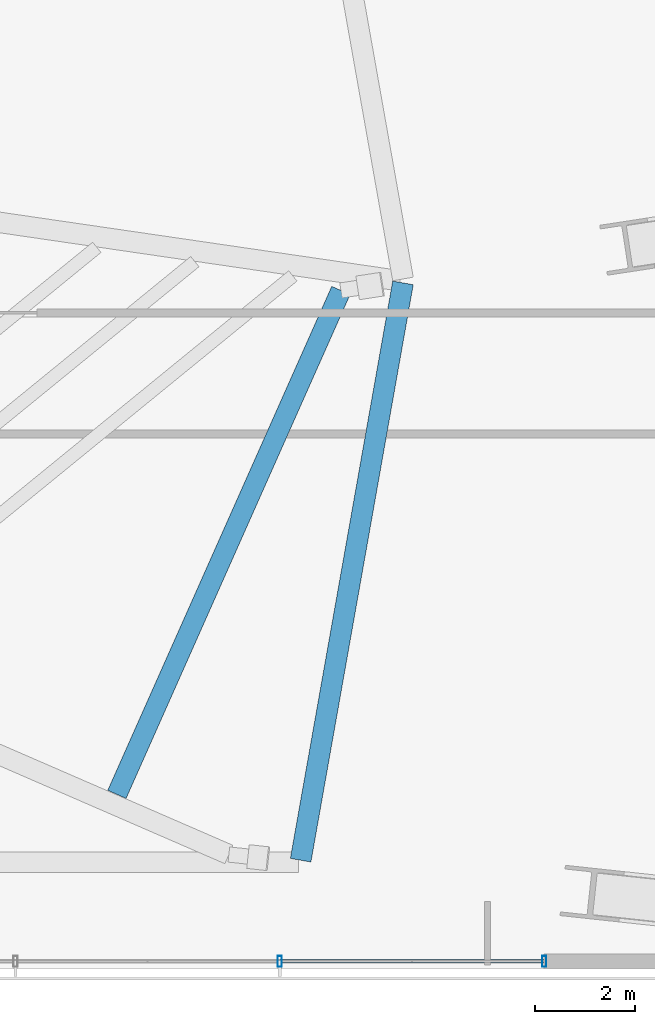
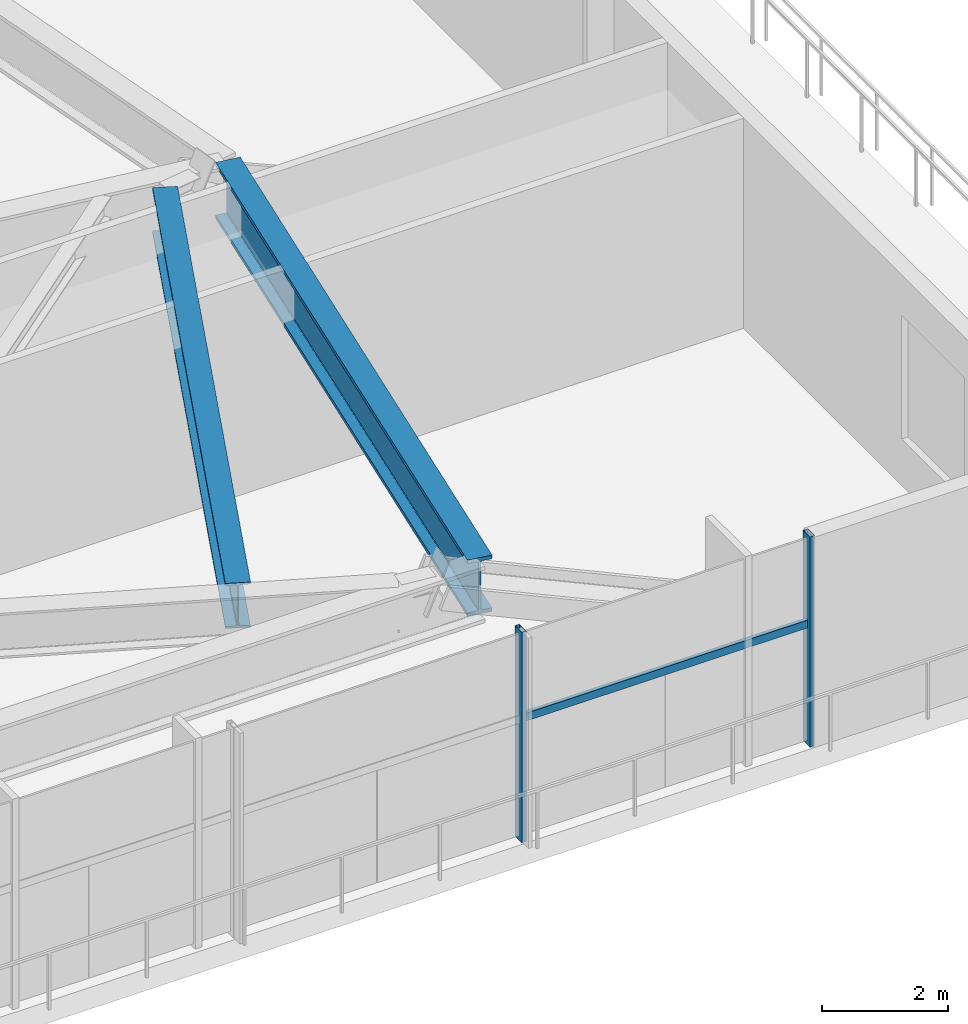
# One storey, part 15 of 29: 3 members, 2 beams, 1 element without a shape of its own.
"""IFC4 building model written with IfcOpenShell, lengths in metres."""

from ifc_helpers import new_model, si_unit, direction, frame, origin, origin_2d, place, context, subcontext, project, spatial, hollow_rectangle, i_section, extrude, source, transform, mapped, material, material_profile, profile_set, type_object, type_shapes, element, aggregate, save


model = new_model("IFC4")

# Units and contexts
model_context = context("Model", 3, precision=1e-05, world=origin(), true_north=direction((0.0, 1.0)))
body_context = subcontext(model_context, "Body", "Model", "MODEL_VIEW")
ifc_project = project(units=[si_unit("LENGTHUNIT", "METRE"), si_unit("AREAUNIT", "SQUARE_METRE"), si_unit("VOLUMEUNIT", "CUBIC_METRE"), si_unit("PLANEANGLEUNIT", "RADIAN"), si_unit("MASSUNIT", "GRAM", prefix="KILO")], contexts=[model_context])

# Site, building, storey
site_placement = place(None, origin())
site = spatial("IfcSite", under=ifc_project, at=site_placement, CompositionType="ELEMENT")
building_placement = place(site_placement, origin())
building = spatial("IfcBuilding", under=site, at=building_placement, Name="Astriad Promenade Condominiums", CompositionType="ELEMENT")
storey_placement = place(building_placement, frame((0.0, 0.0, 18.5)))
storey = spatial("IfcBuildingStorey", under=building, at=storey_placement, Name="L04", CompositionType="ELEMENT", Elevation=18.5)

# Beams
ifc_material_1 = material(Name="Steel ASTM A992 Grade 50", Category="steel")
ifc_material_profile_1 = material_profile(ifc_material_1, i_section(OverallWidth=0.4169921875, OverallDepth=1.093505859375, WebThickness=0.0390625, FlangeThickness=0.070068359375, FilletRadius=0.025390625, at=origin_2d()), Name="W40X503")
ifc_profile_set_1 = profile_set([ifc_material_profile_1], Name="Steel ASTM A992 Grade 50")
beam_type_1 = type_object("IfcBeamType", Name="STEEL TRANSFER GIRDER W40X503", PredefinedType="BEAM", material=ifc_profile_set_1)
shared_shape_1 = source(origin(), body_context, "Body", "SweptSolid", [
    extrude(i_section(OverallWidth=0.4169921875, OverallDepth=1.093505859375, WebThickness=0.0390625, FlangeThickness=0.070068359375, FilletRadius=0.025390625, at=origin_2d()), origin(), (0.0, 0.0, 1.0), 11.729248046875),
])
type_shapes(beam_type_1, [shared_shape_1])
beam_1_placement = place(storey_placement, frame((57.57666015625, 3.77197265625, 3.533203125), z_axis=(0.174529787656, 0.984651894438, 0.0), x_axis=(-0.984651894438, 0.174529787656, 0.0)))
element("IfcBeam", 1, at=beam_1_placement, inside=storey, type_object=beam_type_1, Name="Perimeter Spandrel Beam SP-E1-L04", PredefinedType="BEAM", context=body_context, shape_type="MappedRepresentation", body=[
    mapped(shared_shape_1, transform((0.0, 0.0, 0.0), scale=1.0)),
])
ifc_material_profile_2 = material_profile(ifc_material_1, i_section(OverallWidth=0.4013671875, OverallDepth=0.877197265625, WebThickness=0.022216796875, FlangeThickness=0.039794921875, FilletRadius=0.02294921875, at=origin_2d()), Name="W33X263")
ifc_profile_set_2 = profile_set([ifc_material_profile_2], Name="Steel ASTM A992 Grade 50")
beam_type_2 = type_object("IfcBeamType", Name="STEEL TRANSFER CARRIER GIRDER W33X263", PredefinedType="BEAM", material=ifc_profile_set_2)
shared_shape_2 = source(origin(), body_context, "Body", "SweptSolid", [
    extrude(i_section(OverallWidth=0.4013671875, OverallDepth=0.877197265625, WebThickness=0.022216796875, FlangeThickness=0.039794921875, FilletRadius=0.02294921875, at=origin_2d()), origin(), (0.0, 0.0, 1.0), 11.03173828125),
])
type_shapes(beam_type_2, [shared_shape_2])
beam_2_placement = place(storey_placement, frame((53.90087890625, 5.089111328125, 3.641357421875), z_axis=(0.406210332771, 0.913779604473, 0.0), x_axis=(-0.913779604473, 0.406210332771, 0.0)))
element("IfcBeam", 2, at=beam_2_placement, inside=storey, type_object=beam_type_2, Name="Transfer Splice Carrier TRM-SP-PC12-L04", PredefinedType="BEAM", context=body_context, shape_type="MappedRepresentation", body=[
    mapped(shared_shape_2, transform((0.0, 0.0, 0.0), scale=1.0)),
])

# Curtain wall, members
ifc_material_2 = material(Name="Anodised aluminium Black Dark Glass Unitised", Category="aluminium")
curtain_wall_type = type_object("IfcCurtainWallType", Name="CW-POD-DARK", PredefinedType="USERDEFINED", material=ifc_material_2)
curtain_wall_placement = place(storey_placement, origin())
curtain_wall = element("IfcCurtainWall", 3, at=curtain_wall_placement, inside=storey, type_object=curtain_wall_type, Name="CW-L04-S", ObjectType="UNITISED_CURTAIN_WALL", PredefinedType="USERDEFINED")
ifc_material_3 = material(Name="Anodised aluminium 6063-T6 Black", Category="aluminium")
ifc_material_profile_3 = material_profile(ifc_material_3, hollow_rectangle(XDim=0.0849609375, YDim=0.219970703125, WallThickness=0.0048828125, at=origin_2d()), Name="ALU-MUL-85X220")
ifc_profile_set_3 = profile_set([ifc_material_profile_3], Name="Anodised aluminium 6063-T6 Black")
member_type_1 = type_object("IfcMemberType", Name="MUL-ALU-MUL-85X220", PredefinedType="MULLION", material=ifc_profile_set_3)
shared_shape_3 = source(origin(), body_context, "Body", "SweptSolid", [
    extrude(hollow_rectangle(XDim=0.0849609375, YDim=0.219970703125, WallThickness=0.0048828125, at=origin_2d()), origin(), (0.0, 0.0, 1.0), 4.080078125),
])
type_shapes(member_type_1, [shared_shape_3])
member_1_placement = place(storey_placement, frame((62.449951171875, 1.75, 0.0), z_axis=(0.0, 0.0, 1.0), x_axis=(1.0, 0.0, 0.0)))
member_1 = element("IfcMember", 4, at=member_1_placement, type_object=member_type_1, Name="CW-L04-S-MUL-00", PredefinedType="MULLION", context=body_context, shape_type="MappedRepresentation", body=[
    mapped(shared_shape_3, transform((0.0, 0.0, 0.0), scale=1.0)),
])
member_2_placement = place(storey_placement, frame((57.159912109375, 1.75, 0.0), z_axis=(0.0, 0.0, 1.0), x_axis=(1.0, 0.0, 0.0)))
member_2 = element("IfcMember", 5, at=member_2_placement, type_object=member_type_1, Name="CW-L04-S-MUL-01", PredefinedType="MULLION", context=body_context, shape_type="MappedRepresentation", body=[
    mapped(shared_shape_3, transform((0.0, 0.0, 0.0), scale=1.0)),
])
ifc_material_profile_4 = material_profile(ifc_material_3, hollow_rectangle(XDim=0.074951171875, YDim=0.14990234375, WallThickness=0.004150390625, at=origin_2d()), Name="ALU-TRN-75X150")
ifc_profile_set_4 = profile_set([ifc_material_profile_4], Name="Anodised aluminium 6063-T6 Black")
member_type_2 = type_object("IfcMemberType", Name="TRN-ALU-TRN-75X150", PredefinedType="USERDEFINED", material=ifc_profile_set_4)
shared_shape_4 = source(origin(), body_context, "Body", "SweptSolid", [
    extrude(hollow_rectangle(XDim=0.074951171875, YDim=0.14990234375, WallThickness=0.004150390625, at=origin_2d()), origin(), (0.0, 0.0, 1.0), 5.2900390625),
])
type_shapes(member_type_2, [shared_shape_4])
member_3_placement = place(storey_placement, frame((62.449951171875, 1.75, 2.35009765625), z_axis=(-1.0, 0.0, 0.0), x_axis=(0.0, -1.0, 0.0)))
member_3 = element("IfcMember", 6, at=member_3_placement, type_object=member_type_2, Name="CW-L04-S-TRN-00-0", ObjectType="TRANSOM", PredefinedType="USERDEFINED", context=body_context, shape_type="MappedRepresentation", body=[
    mapped(shared_shape_4, transform((0.0, 0.0, 0.0), scale=1.0)),
])
aggregate(curtain_wall, [member_1, member_2, member_3])

save(model, "model.ifc")
